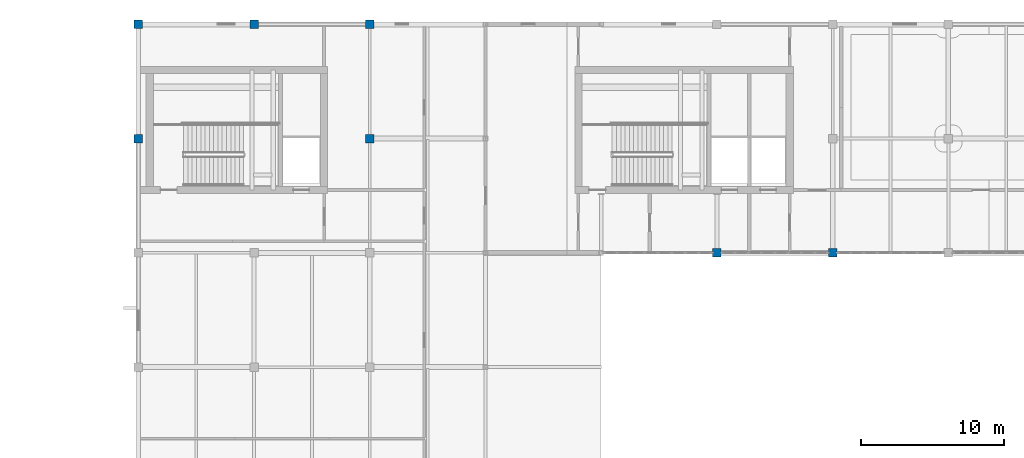
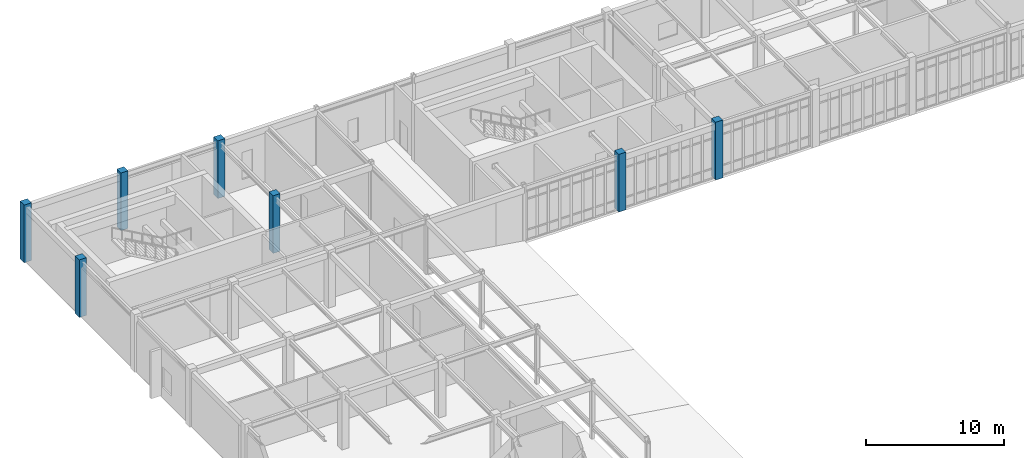
# One storey, part 6 of 70: 7 columns.
"""IFC4 building model written with IfcOpenShell, lengths in metres."""

from ifc_helpers import new_model, si_unit, direction, frame, origin, origin_2d, place, context, subcontext, project, spatial, rectangle, extrude, material, material_profile, profile_set, type_object, element, save


model = new_model("IFC4")

# Units and contexts
model_context = context("Model", 3, precision=1e-05, world=origin(), true_north=direction((0.0, 1.0)))
body_context = subcontext(model_context, "Body", "Model", "MODEL_VIEW")
ifc_project = project(units=[si_unit("LENGTHUNIT", "METRE"), si_unit("AREAUNIT", "SQUARE_METRE"), si_unit("VOLUMEUNIT", "CUBIC_METRE"), si_unit("PLANEANGLEUNIT", "RADIAN"), si_unit("MASSUNIT", "GRAM", prefix="KILO")], contexts=[model_context])

# Site, building, storey
site_placement = place(None, origin())
site = spatial("IfcSite", under=ifc_project, at=site_placement, CompositionType="ELEMENT")
building_placement = place(site_placement, origin())
building = spatial("IfcBuilding", under=site, at=building_placement, Name="Tarnveldt Square Police Headquarters", CompositionType="ELEMENT")
storey_placement = place(building_placement, frame((0.0, 0.0, 19.800048828125)))
storey = spatial("IfcBuildingStorey", under=building, at=storey_placement, Name="L04", CompositionType="ELEMENT", Elevation=19.800048828125)

# Columns
ifc_material = material(Name="Concrete 40 MPa", Category="concrete")
ifc_material_profile = material_profile(ifc_material, rectangle(XDim=0.60009765625, YDim=0.60009765625, at=origin_2d()), Name="RC-C600x600")
ifc_profile_set = profile_set([ifc_material_profile], Name="Concrete 40 MPa")
column_type = type_object("IfcColumnType", Name="COL-RC600", PredefinedType="COLUMN", material=ifc_profile_set)
for number, where, z_axis, x_axis, name in (
    (1, (16.199951171875, 104.0, 0.0), (0.0, 0.0, 1.0), (1.0, 0.0, 0.0), "L04 Column 026"),
    (2, (16.199951171875, 112.0, 0.0), (0.0, 0.0, 1.0), (1.0, 0.0, 0.0), "L04 Column 027"),
    (3, (24.300048828125, 112.0, 0.0), (0.0, 0.0, 1.0), (1.0, 0.0, 0.0), "L04 Column 038"),
    (4, (32.39990234375, 104.0, 0.0), (0.0, 0.0, 1.0), (1.0, 0.0, 0.0), "L04 Column 054"),
    (5, (32.39990234375, 112.0, 0.0), (0.0, 0.0, 1.0), (1.0, 0.0, 0.0), "L04 Column 055"),
    (6, (56.699951171875, 96.0, 0.0), (0.0, 0.0, 1.0), (1.0, 0.0, 0.0), "L04 Column 092"),
    (7, (64.800048828125, 96.0, 0.0), (0.0, 0.0, 1.0), (1.0, 0.0, 0.0), "L04 Column 104"),
):
    element("IfcColumn", number, at=place(storey_placement, frame(where, z_axis=z_axis, x_axis=x_axis)), inside=storey, type_object=column_type, Name=name, PredefinedType="COLUMN", context=body_context, shape_type="SweptSolid", body=[
        extrude(rectangle(XDim=0.60009765625, YDim=0.60009765625, at=origin_2d()), origin(), (0.0, 0.0, 1.0), 5.099853515625),
    ])

save(model, "model.ifc")
